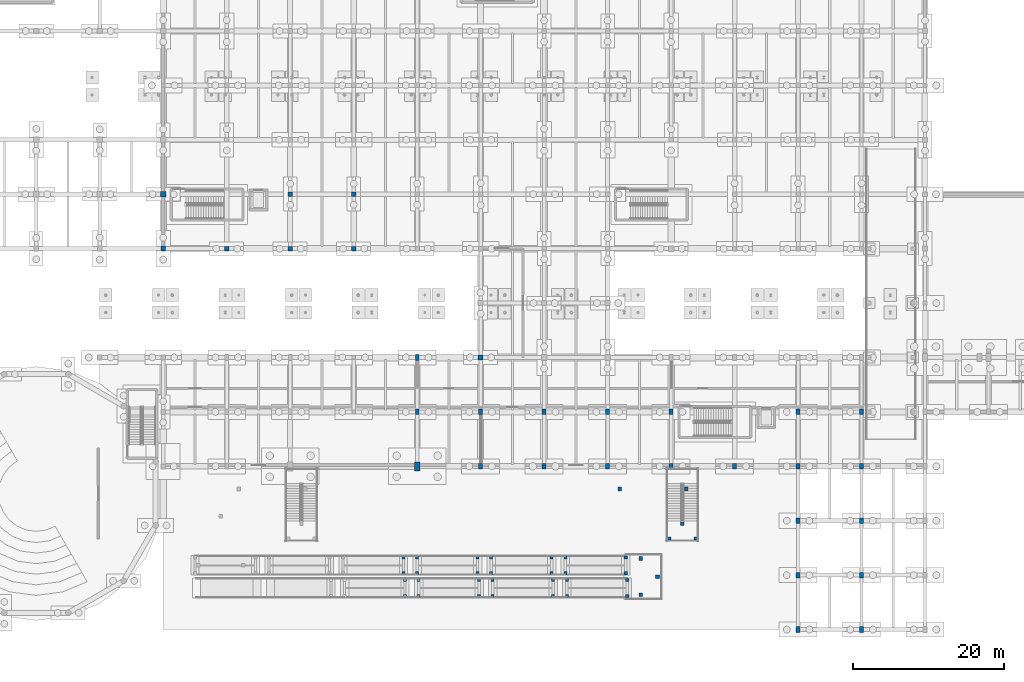
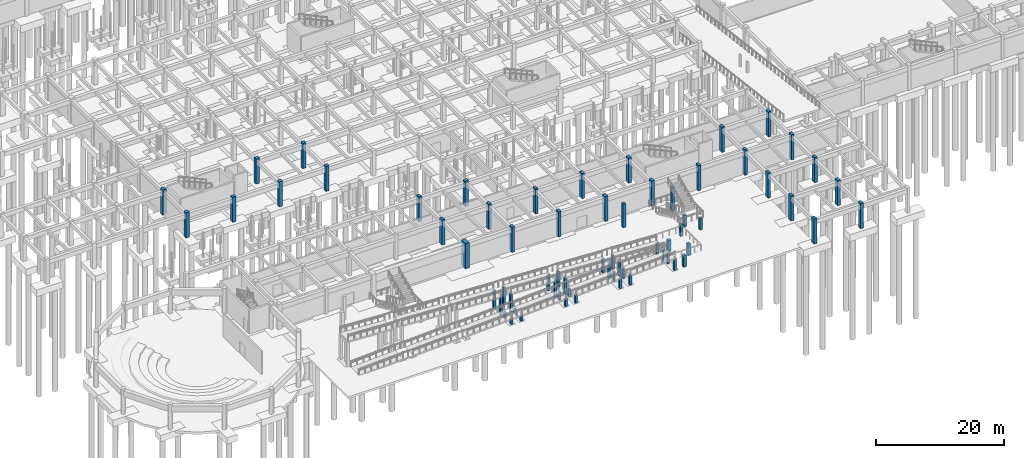
# One storey, part 20 of 80: 66 columns.
"""IFC4 building model written with IfcOpenShell, lengths in metres."""

from ifc_helpers import new_model, si_unit, direction, frame, origin, origin_2d, place, context, subcontext, project, spatial, rectangle, extrude, material, material_profile, profile_set, type_object, element, save


model = new_model("IFC4")

# Units and contexts
model_context = context("Model", 3, precision=1e-05, world=origin(), true_north=direction((0.0, 1.0)))
body_context = subcontext(model_context, "Body", "Model", "MODEL_VIEW")
ifc_project = project(units=[si_unit("LENGTHUNIT", "METRE"), si_unit("AREAUNIT", "SQUARE_METRE"), si_unit("VOLUMEUNIT", "CUBIC_METRE"), si_unit("PLANEANGLEUNIT", "RADIAN"), si_unit("MASSUNIT", "GRAM", prefix="KILO")], contexts=[model_context])

# Site, building, storey
site_placement = place(None, origin())
site = spatial("IfcSite", under=ifc_project, at=site_placement, CompositionType="ELEMENT")
building_placement = place(site_placement, origin())
building = spatial("IfcBuilding", under=site, at=building_placement, Name="Malvenik Polytechnic", CompositionType="ELEMENT")
storey_placement = place(building_placement, frame((0.0, 0.0, -4.800048828125)))
storey = spatial("IfcBuildingStorey", under=building, at=storey_placement, Name="B1", CompositionType="ELEMENT", Elevation=-4.800048828125)

# Columns
ifc_material_1 = material(Name="Concrete C40/50", Category="concrete")
ifc_material_profile_1 = material_profile(ifc_material_1, rectangle(XDim=0.699951171875, YDim=0.699951171875, at=origin_2d()), Name="RC COL 700x700")
ifc_profile_set_1 = profile_set([ifc_material_profile_1], Name="Concrete C40/50")
column_type_1 = type_object("IfcColumnType", Name="STR-COL-C-04", PredefinedType="COLUMN", material=ifc_profile_set_1)
column_1_placement = place(storey_placement, frame((33.60009765625, 57.60009765625, 0.0), z_axis=(0.0, 0.0, 1.0), x_axis=(1.0, 0.0, 0.0)))
element("IfcColumn", 1, at=column_1_placement, inside=storey, type_object=column_type_1, Name="Column C-04 B1 (33.6,57.6)", PredefinedType="COLUMN", context=body_context, shape_type="SweptSolid", body=[
    extrude(rectangle(XDim=0.699951171875, YDim=0.699951171875, at=origin_2d()), origin(), (0.0, 0.0, 1.0), 4.800048828125),
])
ifc_material_2 = material(Name="Concrete C35/45", Category="concrete")
ifc_material_profile_2 = material_profile(ifc_material_2, rectangle(XDim=0.64990234375, YDim=0.64990234375, at=origin_2d()), Name="RC COL 650x650")
ifc_profile_set_2 = profile_set([ifc_material_profile_2], Name="Concrete C35/45")
column_type_2 = type_object("IfcColumnType", Name="STR-COL-C-05", PredefinedType="COLUMN", material=ifc_profile_set_2)
for number, where, z_axis, x_axis, name in (
    (2, (33.60009765625, 50.39990234375, 0.0), (0.0, 0.0, 1.0), (1.0, 0.0, 0.0), "Column C-05 B1 (33.6,50.4)"),
    (3, (75.60009765625, 36.0, 0.0), (0.0, 0.0, 1.0), (1.0, 0.0, 0.0), "Column C-05 B1 (75.6,36.0)"),
):
    element("IfcColumn", number, at=place(storey_placement, frame(where, z_axis=z_axis, x_axis=x_axis)), inside=storey, type_object=column_type_2, Name=name, PredefinedType="COLUMN", context=body_context, shape_type="SweptSolid", body=[
        extrude(rectangle(XDim=0.64990234375, YDim=0.64990234375, at=origin_2d()), origin(), (0.0, 0.0, 1.0), 4.800048828125),
    ])
ifc_material_profile_3 = material_profile(ifc_material_2, rectangle(XDim=0.60009765625, YDim=0.60009765625, at=origin_2d()), Name="RC COL 600x600")
ifc_profile_set_3 = profile_set([ifc_material_profile_3], Name="Concrete C35/45")
column_type_3 = type_object("IfcColumnType", Name="STR-COL-C-06", PredefinedType="COLUMN", material=ifc_profile_set_3)
for number, where, z_axis, x_axis, name in (
    (4, (42.0, 50.39990234375, 0.0), (0.0, 0.0, 1.0), (1.0, 0.0, 0.0), "Column C-06 B1 (42.0,50.4)"),
    (5, (50.39990234375, 50.39990234375, 0.0), (0.0, 0.0, 1.0), (1.0, 0.0, 0.0), "Column C-06 B1 (50.4,50.4)"),
    (6, (50.39990234375, 57.60009765625, 0.0), (0.0, 0.0, 1.0), (1.0, 0.0, 0.0), "Column C-06 B1 (50.4,57.6)"),
    (7, (58.800048828125, 50.39990234375, 0.0), (0.0, 0.0, 1.0), (1.0, 0.0, 0.0), "Column C-06 B1 (58.8,50.4)"),
    (8, (58.800048828125, 57.60009765625, 0.0), (0.0, 0.0, 1.0), (1.0, 0.0, 0.0), "Column C-06 B1 (58.8,57.6)"),
):
    element("IfcColumn", number, at=place(storey_placement, frame(where, z_axis=z_axis, x_axis=x_axis)), inside=storey, type_object=column_type_3, Name=name, PredefinedType="COLUMN", context=body_context, shape_type="SweptSolid", body=[
        extrude(rectangle(XDim=0.60009765625, YDim=0.60009765625, at=origin_2d()), origin(), (0.0, 0.0, 1.0), 4.800048828125),
    ])
ifc_material_profile_4 = material_profile(ifc_material_2, rectangle(XDim=0.5, YDim=0.5, at=origin_2d()), Name="RC COL 500x500")
ifc_profile_set_4 = profile_set([ifc_material_profile_4], Name="Concrete C35/45")
column_type_4 = type_object("IfcColumnType", Name="STR-COL-C-08", PredefinedType="COLUMN", material=ifc_profile_set_4)
for number, where, z_axis, x_axis, name in (
    (9, (96.800048828125, 4.60009765625, 0.0), (0.0, 0.0, 1.0), (1.0, 0.0, 0.0), "Forecourt Ramp Turn Pier (96.8,4.6)"),
    (10, (96.800048828125, 9.39990234375, 0.0), (0.0, 0.0, 1.0), (1.0, 0.0, 0.0), "Forecourt Ramp Turn Pier (96.8,9.4)"),
    (11, (99.0, 7.0, 0.0), (0.0, 0.0, 1.0), (1.0, 0.0, 0.0), "Forecourt Ramp Turn Pier (99.0,7.0)"),
):
    element("IfcColumn", number, at=place(storey_placement, frame(where, z_axis=z_axis, x_axis=x_axis)), inside=storey, type_object=column_type_4, Name=name, PredefinedType="COLUMN", context=body_context, shape_type="SweptSolid", body=[
        extrude(rectangle(XDim=0.5, YDim=0.5, at=origin_2d()), origin(), (0.0, 0.0, 1.0), 2.16015625),
    ])
for number, where, z_axis, x_axis, name in (
    (12, (94.0, 18.60009765625, 0.0), (0.0, 0.0, 1.0), (1.0, 0.0, 0.0), "Forecourt Terrace Pier (94.0,18.6)"),
    (13, (102.800048828125, 18.60009765625, 0.0), (0.0, 0.0, 1.0), (1.0, 0.0, 0.0), "Forecourt Terrace Pier (102.8,18.6)"),
):
    element("IfcColumn", number, at=place(storey_placement, frame(where, z_axis=z_axis, x_axis=x_axis)), inside=storey, type_object=column_type_4, Name=name, PredefinedType="COLUMN", context=body_context, shape_type="SweptSolid", body=[
        extrude(rectangle(XDim=0.5, YDim=0.5, at=origin_2d()), origin(), (0.0, 0.0, 1.0), 4.5),
    ])
ifc_material_profile_5 = material_profile(ifc_material_2, rectangle(XDim=0.449951171875, YDim=0.449951171875, at=origin_2d()), Name="RC COL 450x450")
ifc_profile_set_5 = profile_set([ifc_material_profile_5], Name="Concrete C35/45")
column_type_5 = type_object("IfcColumnType", Name="STR-COL-C-09", PredefinedType="COLUMN", material=ifc_profile_set_5)
for number, where, z_axis, x_axis, name in (
    (14, (100.550048828125, 12.050048828125, 0.0), (0.0, 0.0, 1.0), (1.0, 0.0, 0.0), "Forecourt Stair Landing Pier ST-11-1"),
    (15, (104.050048828125, 12.050048828125, 0.0), (0.0, 0.0, 1.0), (1.0, 0.0, 0.0), "Forecourt Stair Landing Pier ST-11-2"),
    (16, (102.300048828125, 14.0, 0.0), (0.0, 0.0, 1.0), (1.0, 0.0, 0.0), "Forecourt Stair Landing Pier ST-11-3"),
):
    element("IfcColumn", number, at=place(storey_placement, frame(where, z_axis=z_axis, x_axis=x_axis)), inside=storey, type_object=column_type_5, Name=name, PredefinedType="COLUMN", context=body_context, shape_type="SweptSolid", body=[
        extrude(rectangle(XDim=0.449951171875, YDim=0.449951171875, at=origin_2d()), origin(), (0.0, 0.0, 1.0), 2.199951171875),
    ])
ifc_material_3 = material(Name="Concrete C30/37", Category="concrete")
ifc_material_profile_6 = material_profile(ifc_material_3, rectangle(XDim=0.39990234375, YDim=0.39990234375, at=origin_2d()), Name="RC COL 400x400")
ifc_profile_set_6 = profile_set([ifc_material_profile_6], Name="Concrete C30/37")
column_type_6 = type_object("IfcColumnType", Name="STR-COL-C-10", PredefinedType="COLUMN", material=ifc_profile_set_6)
for number, where, z_axis, x_axis, name in (
    (17, (65.60009765625, 4.449951171875, 0.0), (0.0, 0.0, 1.0), (1.0, 0.0, 0.0), "Forecourt Ramp Pier RB-04-5S"),
    (18, (65.60009765625, 6.550048828125, 0.0), (0.0, 0.0, 1.0), (1.0, 0.0, 0.0), "Forecourt Ramp Pier RB-04-5N"),
    (19, (67.39990234375, 4.449951171875, 0.0), (0.0, 0.0, 1.0), (1.0, 0.0, 0.0), "Forecourt Ramp Pier RB-04-6S"),
    (20, (67.39990234375, 6.550048828125, 0.0), (0.0, 0.0, 1.0), (1.0, 0.0, 0.0), "Forecourt Ramp Pier RB-04-6N"),
):
    element("IfcColumn", number, at=place(storey_placement, frame(where, z_axis=z_axis, x_axis=x_axis)), inside=storey, type_object=column_type_6, Name=name, PredefinedType="COLUMN", context=body_context, shape_type="SweptSolid", body=[
        extrude(rectangle(XDim=0.39990234375, YDim=0.39990234375, at=origin_2d()), origin(), (0.0, 0.0, 1.0), 1.02001953125),
    ])
for number, where, z_axis, x_axis, name in (
    (21, (75.39990234375, 4.449951171875, 0.0), (0.0, 0.0, 1.0), (1.0, 0.0, 0.0), "Forecourt Ramp Pier RB-04-7S"),
    (22, (75.39990234375, 6.550048828125, 0.0), (0.0, 0.0, 1.0), (1.0, 0.0, 0.0), "Forecourt Ramp Pier RB-04-7N"),
    (23, (77.199951171875, 4.449951171875, 0.0), (0.0, 0.0, 1.0), (1.0, 0.0, 0.0), "Forecourt Ramp Pier RB-04-8S"),
    (24, (77.199951171875, 6.550048828125, 0.0), (0.0, 0.0, 1.0), (1.0, 0.0, 0.0), "Forecourt Ramp Pier RB-04-8N"),
):
    element("IfcColumn", number, at=place(storey_placement, frame(where, z_axis=z_axis, x_axis=x_axis)), inside=storey, type_object=column_type_6, Name=name, PredefinedType="COLUMN", context=body_context, shape_type="SweptSolid", body=[
        extrude(rectangle(XDim=0.39990234375, YDim=0.39990234375, at=origin_2d()), origin(), (0.0, 0.0, 1.0), 1.420166015625),
    ])
for number, where, z_axis, x_axis, name in (
    (25, (85.199951171875, 4.449951171875, 0.0), (0.0, 0.0, 1.0), (1.0, 0.0, 0.0), "Forecourt Ramp Pier RB-04-9S"),
    (26, (85.199951171875, 6.550048828125, 0.0), (0.0, 0.0, 1.0), (1.0, 0.0, 0.0), "Forecourt Ramp Pier RB-04-9N"),
    (27, (87.0, 4.449951171875, 0.0), (0.0, 0.0, 1.0), (1.0, 0.0, 0.0), "Forecourt Ramp Pier RB-04-10S"),
    (28, (87.0, 6.550048828125, 0.0), (0.0, 0.0, 1.0), (1.0, 0.0, 0.0), "Forecourt Ramp Pier RB-04-10N"),
):
    element("IfcColumn", number, at=place(storey_placement, frame(where, z_axis=z_axis, x_axis=x_axis)), inside=storey, type_object=column_type_6, Name=name, PredefinedType="COLUMN", context=body_context, shape_type="SweptSolid", body=[
        extrude(rectangle(XDim=0.39990234375, YDim=0.39990234375, at=origin_2d()), origin(), (0.0, 0.0, 1.0), 1.820068359375),
    ])
for number, where, z_axis, x_axis, name in (
    (29, (95.0, 4.449951171875, 0.0), (0.0, 0.0, 1.0), (1.0, 0.0, 0.0), "Forecourt Ramp Pier RB-04-11S"),
    (30, (95.0, 6.550048828125, 0.0), (0.0, 0.0, 1.0), (1.0, 0.0, 0.0), "Forecourt Ramp Pier RB-04-11N"),
    (31, (94.800048828125, 7.449951171875, 0.0), (0.0, 0.0, 1.0), (1.0, 0.0, 0.0), "Forecourt Ramp Pier RB-05-0S"),
    (32, (94.800048828125, 9.550048828125, 0.0), (0.0, 0.0, 1.0), (1.0, 0.0, 0.0), "Forecourt Ramp Pier RB-05-0N"),
):
    element("IfcColumn", number, at=place(storey_placement, frame(where, z_axis=z_axis, x_axis=x_axis)), inside=storey, type_object=column_type_6, Name=name, PredefinedType="COLUMN", context=body_context, shape_type="SweptSolid", body=[
        extrude(rectangle(XDim=0.39990234375, YDim=0.39990234375, at=origin_2d()), origin(), (0.0, 0.0, 1.0), 2.219970703125),
    ])
for number, where, z_axis, x_axis, name in (
    (33, (86.800048828125, 7.449951171875, 0.0), (0.0, 0.0, 1.0), (1.0, 0.0, 0.0), "Forecourt Ramp Pier RB-05-1S"),
    (34, (86.800048828125, 9.550048828125, 0.0), (0.0, 0.0, 1.0), (1.0, 0.0, 0.0), "Forecourt Ramp Pier RB-05-1N"),
    (35, (85.0, 7.449951171875, 0.0), (0.0, 0.0, 1.0), (1.0, 0.0, 0.0), "Forecourt Ramp Pier RB-05-2S"),
    (36, (85.0, 9.550048828125, 0.0), (0.0, 0.0, 1.0), (1.0, 0.0, 0.0), "Forecourt Ramp Pier RB-05-2N"),
):
    element("IfcColumn", number, at=place(storey_placement, frame(where, z_axis=z_axis, x_axis=x_axis)), inside=storey, type_object=column_type_6, Name=name, PredefinedType="COLUMN", context=body_context, shape_type="SweptSolid", body=[
        extrude(rectangle(XDim=0.39990234375, YDim=0.39990234375, at=origin_2d()), origin(), (0.0, 0.0, 1.0), 2.6201171875),
    ])
for number, where, z_axis, x_axis, name in (
    (37, (77.0, 7.449951171875, 0.0), (0.0, 0.0, 1.0), (1.0, 0.0, 0.0), "Forecourt Ramp Pier RB-05-3S"),
    (38, (77.0, 9.550048828125, 0.0), (0.0, 0.0, 1.0), (1.0, 0.0, 0.0), "Forecourt Ramp Pier RB-05-3N"),
    (39, (75.199951171875, 7.449951171875, 0.0), (0.0, 0.0, 1.0), (1.0, 0.0, 0.0), "Forecourt Ramp Pier RB-05-4S"),
    (40, (75.199951171875, 9.550048828125, 0.0), (0.0, 0.0, 1.0), (1.0, 0.0, 0.0), "Forecourt Ramp Pier RB-05-4N"),
):
    element("IfcColumn", number, at=place(storey_placement, frame(where, z_axis=z_axis, x_axis=x_axis)), inside=storey, type_object=column_type_6, Name=name, PredefinedType="COLUMN", context=body_context, shape_type="SweptSolid", body=[
        extrude(rectangle(XDim=0.39990234375, YDim=0.39990234375, at=origin_2d()), origin(), (0.0, 0.0, 1.0), 3.02001953125),
    ])
for number, where, z_axis, x_axis, name in (
    (41, (67.199951171875, 7.449951171875, 0.0), (0.0, 0.0, 1.0), (1.0, 0.0, 0.0), "Forecourt Ramp Pier RB-05-5S"),
    (42, (67.199951171875, 9.550048828125, 0.0), (0.0, 0.0, 1.0), (1.0, 0.0, 0.0), "Forecourt Ramp Pier RB-05-5N"),
    (43, (65.39990234375, 7.449951171875, 0.0), (0.0, 0.0, 1.0), (1.0, 0.0, 0.0), "Forecourt Ramp Pier RB-05-6S"),
    (44, (65.39990234375, 9.550048828125, 0.0), (0.0, 0.0, 1.0), (1.0, 0.0, 0.0), "Forecourt Ramp Pier RB-05-6N"),
):
    element("IfcColumn", number, at=place(storey_placement, frame(where, z_axis=z_axis, x_axis=x_axis)), inside=storey, type_object=column_type_6, Name=name, PredefinedType="COLUMN", context=body_context, shape_type="SweptSolid", body=[
        extrude(rectangle(XDim=0.39990234375, YDim=0.39990234375, at=origin_2d()), origin(), (0.0, 0.0, 1.0), 3.420166015625),
    ])
ifc_material_profile_7 = material_profile(ifc_material_1, rectangle(XDim=0.699951171875, YDim=1.199951171875, at=origin_2d()), Name="RC COL 1200x700")
ifc_profile_set_7 = profile_set([ifc_material_profile_7], Name="Concrete C40/50")
column_type_7 = type_object("IfcColumnType", Name="STR-COL-C-13", PredefinedType="COLUMN", material=ifc_profile_set_7)
column_2_placement = place(storey_placement, frame((67.199951171875, 21.60009765625, 0.0), z_axis=(0.0, 0.0, 1.0), x_axis=(1.0, 0.0, 0.0)))
element("IfcColumn", 45, at=column_2_placement, inside=storey, type_object=column_type_7, Name="Column C-13 B1 (67.2,21.6)", PredefinedType="COLUMN", context=body_context, shape_type="SweptSolid", body=[
    extrude(rectangle(XDim=0.699951171875, YDim=1.199951171875, at=origin_2d()), origin(), (0.0, 0.0, 1.0), 4.800048828125),
])
ifc_material_profile_8 = material_profile(ifc_material_2, rectangle(XDim=0.5, YDim=0.75, at=origin_2d()), Name="RC COL 750x500")
ifc_profile_set_8 = profile_set([ifc_material_profile_8], Name="Concrete C35/45")
column_type_8 = type_object("IfcColumnType", Name="STR-COL-C-14", PredefinedType="COLUMN", material=ifc_profile_set_8)
for number, where, z_axis, x_axis, name in (
    (46, (67.199951171875, 28.800048828125, 0.0), (0.0, 0.0, 1.0), (1.0, 0.0, 0.0), "Column C-14 B1 (67.2,28.8)"),
    (47, (67.199951171875, 36.0, 0.0), (0.0, 0.0, 1.0), (1.0, 0.0, 0.0), "Column C-14 B1 (67.2,36.0)"),
    (48, (75.60009765625, 21.60009765625, 0.0), (0.0, 0.0, 1.0), (1.0, 0.0, 0.0), "Column C-14 B1 (75.6,21.6)"),
    (49, (75.60009765625, 28.800048828125, 0.0), (0.0, 0.0, 1.0), (1.0, 0.0, 0.0), "Column C-14 B1 (75.6,28.8)"),
    (50, (84.0, 21.60009765625, 0.0), (0.0, 0.0, 1.0), (1.0, 0.0, 0.0), "Column C-14 B1 (84.0,21.6)"),
    (51, (84.0, 28.800048828125, 0.0), (0.0, 0.0, 1.0), (1.0, 0.0, 0.0), "Column C-14 B1 (84.0,28.8)"),
    (52, (92.39990234375, 21.60009765625, 0.0), (0.0, 0.0, 1.0), (1.0, 0.0, 0.0), "Column C-14 B1 (92.4,21.6)"),
    (53, (92.39990234375, 28.800048828125, 0.0), (0.0, 0.0, 1.0), (1.0, 0.0, 0.0), "Column C-14 B1 (92.4,28.8)"),
    (54, (100.800048828125, 21.60009765625, 0.0), (0.0, 0.0, 1.0), (1.0, 0.0, 0.0), "Column C-14 B1 (100.8,21.6)"),
    (55, (100.800048828125, 28.800048828125, 0.0), (0.0, 0.0, 1.0), (1.0, 0.0, 0.0), "Column C-14 B1 (100.8,28.8)"),
    (56, (109.199951171875, 21.60009765625, 0.0), (0.0, 0.0, 1.0), (1.0, 0.0, 0.0), "Column C-14 B1 (109.2,21.6)"),
    (57, (117.60009765625, 0.0, 0.0), (0.0, 0.0, 1.0), (1.0, 0.0, 0.0), "Column C-14 B1 (117.6,0.0)"),
    (58, (117.60009765625, 7.199951171875, 0.0), (0.0, 0.0, 1.0), (1.0, 0.0, 0.0), "Column C-14 B1 (117.6,7.2)"),
    (59, (117.60009765625, 14.39990234375, 0.0), (0.0, 0.0, 1.0), (1.0, 0.0, 0.0), "Column C-14 B1 (117.6,14.4)"),
    (60, (117.60009765625, 21.60009765625, 0.0), (0.0, 0.0, 1.0), (1.0, 0.0, 0.0), "Column C-14 B1 (117.6,21.6)"),
    (61, (117.60009765625, 28.800048828125, 0.0), (0.0, 0.0, 1.0), (1.0, 0.0, 0.0), "Column C-14 B1 (117.6,28.8)"),
    (62, (126.0, 0.0, 0.0), (0.0, 0.0, 1.0), (1.0, 0.0, 0.0), "Column C-14 B1 (126.0,0.0)"),
    (63, (126.0, 7.199951171875, 0.0), (0.0, 0.0, 1.0), (1.0, 0.0, 0.0), "Column C-14 B1 (126.0,7.2)"),
    (64, (126.0, 14.39990234375, 0.0), (0.0, 0.0, 1.0), (1.0, 0.0, 0.0), "Column C-14 B1 (126.0,14.4)"),
    (65, (126.0, 21.60009765625, 0.0), (0.0, 0.0, 1.0), (1.0, 0.0, 0.0), "Column C-14 B1 (126.0,21.6)"),
    (66, (126.0, 28.800048828125, 0.0), (0.0, 0.0, 1.0), (1.0, 0.0, 0.0), "Column C-14 B1 (126.0,28.8)"),
):
    element("IfcColumn", number, at=place(storey_placement, frame(where, z_axis=z_axis, x_axis=x_axis)), inside=storey, type_object=column_type_8, Name=name, PredefinedType="COLUMN", context=body_context, shape_type="SweptSolid", body=[
        extrude(rectangle(XDim=0.5, YDim=0.75, at=origin_2d()), origin(), (0.0, 0.0, 1.0), 4.800048828125),
    ])

save(model, "model.ifc")
